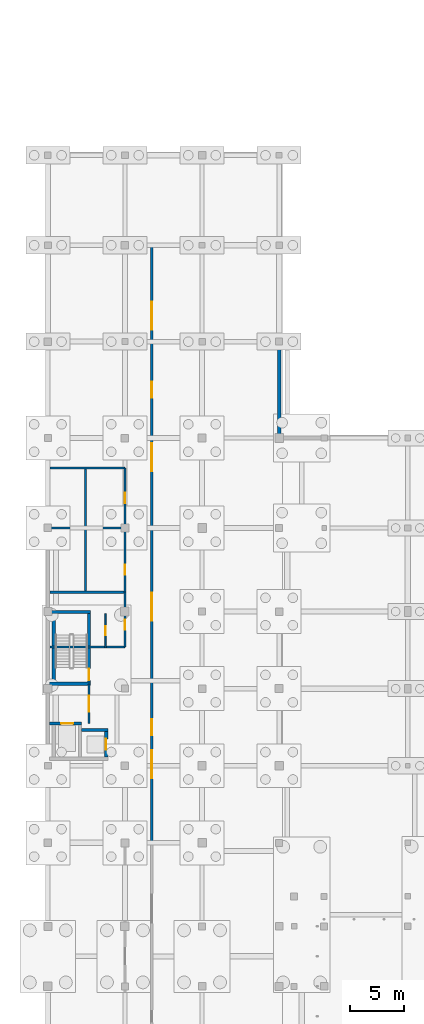
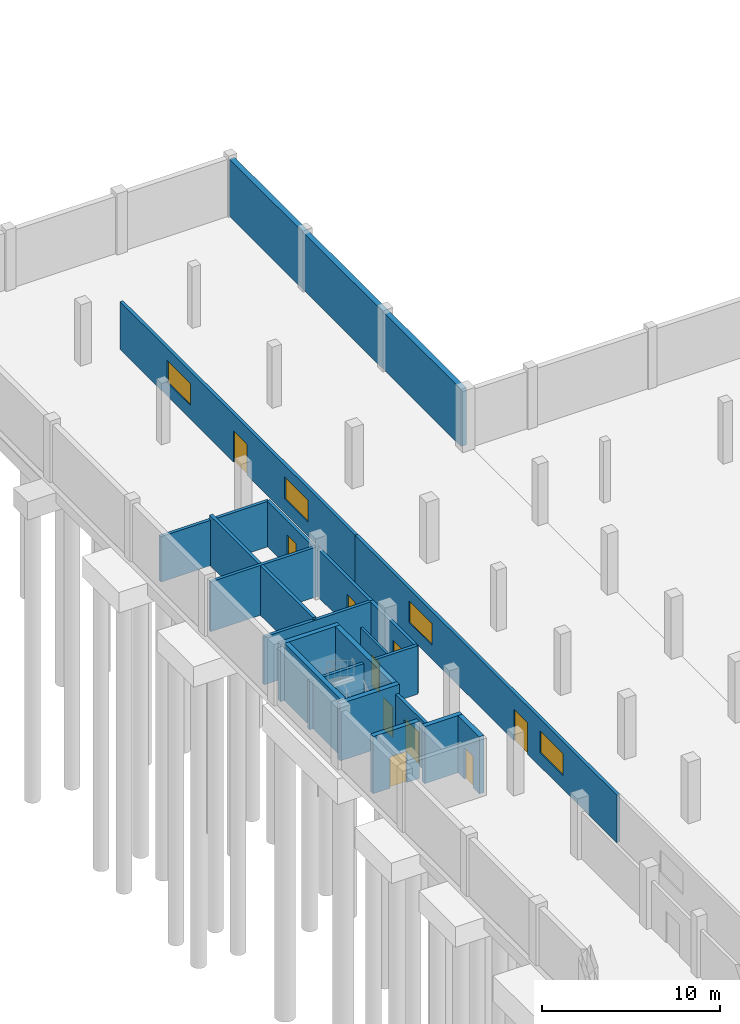
# One storey, part 26 of 34: 20 walls, 10 doors, 4 windows, 14 openings.
"""IFC4 building model written with IfcOpenShell, lengths in metres."""

from ifc_helpers import new_model, si_unit, direction, frame, frame_2d, origin, place, context, subcontext, project, spatial, rectangle, extrude, material, layer, layer_set, type_object, element, fill, save


model = new_model("IFC4")

# Units and contexts
model_context = context("Model", 3, precision=1e-05, world=origin(), true_north=direction((0.0, 1.0)))
body_context = subcontext(model_context, "Body", "Model", "MODEL_VIEW")
ifc_project = project(units=[si_unit("LENGTHUNIT", "METRE"), si_unit("AREAUNIT", "SQUARE_METRE"), si_unit("VOLUMEUNIT", "CUBIC_METRE"), si_unit("PLANEANGLEUNIT", "RADIAN"), si_unit("MASSUNIT", "GRAM", prefix="KILO")], contexts=[model_context])

# Site, building, storey
site_placement = place(None, origin())
site = spatial("IfcSite", under=ifc_project, at=site_placement, CompositionType="ELEMENT")
building_placement = place(site_placement, origin())
building = spatial("IfcBuilding", under=site, at=building_placement, Name="Vinh Khe Railworks Police Headquarters", CompositionType="ELEMENT")
storey_placement = place(building_placement, frame((0.0, 0.0, -4.199951171875)))
storey = spatial("IfcBuildingStorey", under=building, at=storey_placement, Name="B1", CompositionType="ELEMENT", Elevation=-4.199951171875)

# Walls
ifc_material_1 = material(Name="Concrete C40/50 (B40)", Category="concrete")
ifc_layer_1 = layer(ifc_material_1, 0.35009765625)
ifc_layer_set_1 = layer_set([ifc_layer_1], Name="Concrete C40/50 (B40)")
wall_type_1 = type_object("IfcWallType", Name="Basement Retaining Wall 350", PredefinedType="USERDEFINED", material=ifc_layer_set_1)
wall_1_placement = place(storey_placement, frame((22.199951171875, 104.574951171875, 0.0), z_axis=(0.0, 0.0, 1.0), x_axis=(0.0, 1.0, 0.0)))
element("IfcWall", 1, at=wall_1_placement, inside=storey, type_object=wall_type_1, Name="Basement Retaining Wall 8", ObjectType="RETAININGWALL", PredefinedType="USERDEFINED", context=body_context, shape_type="SweptSolid", body=[
    extrude(rectangle(XDim=26.050048828125, YDim=0.35009765625, at=frame_2d((13.02490234375, 0.0))), origin(), (0.0, 0.0, 1.0), 3.919921875),
])
ifc_layer_2 = layer(ifc_material_1, 0.300048828125)
ifc_layer_set_2 = layer_set([ifc_layer_2], Name="Concrete C40/50 (B40)")
wall_type_2 = type_object("IfcWallType", Name="Core Shear Wall 300", PredefinedType="SHEAR", material=ifc_layer_set_2)
for number, where, z_axis, x_axis, name in (
    (2, (0.75, 81.449951171875, 0.0), (0.0, 0.0, 1.0), (1.0, 0.0, 0.0), "Core C2 STAIR-S Shear Wall (B1)"),
    (3, (0.75, 88.14990234375, 0.0), (0.0, 0.0, 1.0), (1.0, 0.0, 0.0), "Core C2 STAIR-N Shear Wall (B1)"),
):
    element("IfcWall", number, at=place(storey_placement, frame(where, z_axis=z_axis, x_axis=x_axis)), inside=storey, type_object=wall_type_2, Name=name, PredefinedType="SHEAR", context=body_context, shape_type="SweptSolid", body=[
        extrude(rectangle(XDim=3.85009765625, YDim=0.300048828125, at=frame_2d((1.925048828125, 0.0))), origin(), (0.0, 0.0, 1.0), 3.919921875),
    ])
wall_2_placement = place(storey_placement, frame((1.14990234375, 81.60009765625, 0.0), z_axis=(0.0, 0.0, 1.0), x_axis=(0.0, 1.0, 0.0)))
element("IfcWall", 4, at=wall_2_placement, inside=storey, type_object=wall_type_2, Name="Core C2 STAIR-W Shear Wall (B1)", PredefinedType="SHEAR", context=body_context, shape_type="SweptSolid", body=[
    extrude(rectangle(XDim=6.39990234375, YDim=0.300048828125, at=frame_2d((3.199951171875, 0.0))), origin(), (0.0, 0.0, 1.0), 3.919921875),
])

# Wall, opening, door
wall_3_placement = place(storey_placement, frame((4.449951171875, 81.60009765625, 0.0), z_axis=(0.0, 0.0, 1.0), x_axis=(0.0, 1.0, 0.0)))
wall_3 = element("IfcWall", 5, at=wall_3_placement, inside=storey, type_object=wall_type_2, Name="Core C2 STAIR-E Shear Wall (B1)", PredefinedType="SHEAR", context=body_context, shape_type="SweptSolid", body=[
    extrude(rectangle(XDim=6.39990234375, YDim=0.300048828125, at=frame_2d((3.199951171875, 0.0))), origin(), (0.0, 0.0, 1.0), 3.919921875),
])
opening_1_placement = place(wall_3_placement, frame((0.169921875, 0.0, 0.0)))
opening_1 = element("IfcOpeningElement", 6, at=opening_1_placement, cuts=wall_3, Name="Opening FD-01", PredefinedType="OPENING", context=body_context, shape_type="SweptSolid", body=[
    extrude(rectangle(XDim=1.10009765625, YDim=2.14990234375, at=frame_2d((0.550048828125, 1.074951171875))), frame((0.0, 0.1650390625, 0.0), z_axis=(0.0, -1.0, 0.0), x_axis=(1.0, 0.0, 0.0)), (0.0, 0.0, 1.0), 0.329833984375),
])
ifc_material_2 = material(Name="Painted galvanised steel", Category="steel")
door_type_1 = type_object("IfcDoorType", Name="FD-1100x2150", OperationType="NOTDEFINED", PredefinedType="DOOR", material=ifc_material_2)
door_1_placement = place(opening_1_placement, frame((1.10009765625, 0.0, 0.0), z_axis=(0.0, 0.0, 1.0), x_axis=(-1.0, 0.0, 0.0)))
door_1 = element("IfcDoor", 7, at=door_1_placement, inside=storey, type_object=door_type_1, Name="Escape Stair ST-02 Fire Door B1", OperationType="SINGLE_SWING_RIGHT", OverallHeight=2.14990234375, OverallWidth=1.10009765625, PredefinedType="DOOR", context=body_context, shape_type="SweptSolid", body=[
    extrude(rectangle(XDim=1.10009765625, YDim=2.14990234375, at=frame_2d((0.550048828125, 1.074951171875))), frame((0.0, 0.02490234375, 0.0), z_axis=(0.0, -1.0, 0.0), x_axis=(1.0, 0.0, 0.0)), (0.0, 0.0, 1.0), 0.050048828125),
])
fill(opening_1, door_1)

wall_4_placement = place(storey_placement, frame((0.75, 77.75, 0.0), z_axis=(0.0, 0.0, 1.0), x_axis=(1.0, 0.0, 0.0)))
wall_4 = element("IfcWall", 8, at=wall_4_placement, inside=storey, type_object=wall_type_2, Name="Core C2 FL-N Lift Shaft Wall (B1)", PredefinedType="SHEAR", context=body_context, shape_type="SweptSolid", body=[
    extrude(rectangle(XDim=3.0, YDim=0.300048828125, at=frame_2d((1.5, 0.0))), origin(), (0.0, 0.0, 1.0), 3.919921875),
])
opening_2_placement = place(wall_4_placement, frame((1.10009765625, 0.0, 0.0)))
opening_2 = element("IfcOpeningElement", 9, at=opening_2_placement, cuts=wall_4, Name="Opening LD-01", PredefinedType="OPENING", context=body_context, shape_type="SweptSolid", body=[
    extrude(rectangle(XDim=1.10009765625, YDim=2.14990234375, at=frame_2d((0.550048828125, 1.074951171875))), frame((0.0, 0.1650390625, 0.0), z_axis=(0.0, -1.0, 0.0), x_axis=(1.0, 0.0, 0.0)), (0.0, 0.0, 1.0), 0.329833984375),
])
door_type_2 = type_object("IfcDoorType", Name="LD-FF-1100", OperationType="SLIDING_TO_LEFT", PredefinedType="DOOR", material=ifc_material_2)
door_2_placement = place(opening_2_placement, origin())
door_2 = element("IfcDoor", 10, at=door_2_placement, inside=storey, type_object=door_type_2, Name="Firefighting Lift Landing Door FL-02 B1", OperationType="SLIDING_TO_LEFT", OverallHeight=2.14990234375, OverallWidth=1.10009765625, PredefinedType="DOOR", context=body_context, shape_type="SweptSolid", body=[
    extrude(rectangle(XDim=1.10009765625, YDim=2.14990234375, at=frame_2d((0.550048828125, 1.074951171875))), frame((0.0, 0.02490234375, 0.0), z_axis=(0.0, -1.0, 0.0), x_axis=(1.0, 0.0, 0.0)), (0.0, 0.0, 1.0), 0.050048828125),
])
fill(opening_2, door_2)

# Wall
wall_5_placement = place(storey_placement, frame((3.75, 77.14990234375, 0.0), z_axis=(0.0, 0.0, 1.0), x_axis=(1.0, 0.0, 0.0)))
element("IfcWall", 11, at=wall_5_placement, inside=storey, type_object=wall_type_2, Name="Core C2 PL-N Lift Shaft Wall (B1)", PredefinedType="SHEAR", context=body_context, shape_type="SweptSolid", body=[
    extrude(rectangle(XDim=2.449951171875, YDim=0.300048828125, at=frame_2d((1.22509765625, 0.0))), origin(), (0.0, 0.0, 1.0), 3.919921875),
])

# Wall, opening, door
wall_6_placement = place(storey_placement, frame((6.050048828125, 74.60009765625, 0.0), z_axis=(0.0, 0.0, 1.0), x_axis=(0.0, 1.0, 0.0)))
wall_6 = element("IfcWall", 12, at=wall_6_placement, inside=storey, type_object=wall_type_2, Name="Core C2 PL-E Lift Shaft Wall (B1)", PredefinedType="SHEAR", context=body_context, shape_type="SweptSolid", body=[
    extrude(rectangle(XDim=2.39990234375, YDim=0.300048828125, at=frame_2d((1.199951171875, 0.0))), origin(), (0.0, 0.0, 1.0), 3.919921875),
])
opening_3_placement = place(wall_6_placement, frame((0.699951171875, 0.0, 0.0)))
opening_3 = element("IfcOpeningElement", 13, at=opening_3_placement, cuts=wall_6, Name="Opening LD-02", PredefinedType="OPENING", context=body_context, shape_type="SweptSolid", body=[
    extrude(rectangle(XDim=1.0, YDim=2.14990234375, at=frame_2d((0.5, 1.074951171875))), frame((0.0, 0.1650390625, 0.0), z_axis=(0.0, -1.0, 0.0), x_axis=(1.0, 0.0, 0.0)), (0.0, 0.0, 1.0), 0.329833984375),
])
door_type_3 = type_object("IfcDoorType", Name="LD-PAX-1000", OperationType="SLIDING_TO_RIGHT", PredefinedType="DOOR", material=ifc_material_2)
door_3_placement = place(opening_3_placement, frame((1.0, 0.0, 0.0), z_axis=(0.0, 0.0, 1.0), x_axis=(-1.0, 0.0, 0.0)))
door_3 = element("IfcDoor", 14, at=door_3_placement, inside=storey, type_object=door_type_3, Name="Passenger Lift Landing Door PL-02 B1", OperationType="SLIDING_TO_RIGHT", OverallHeight=2.14990234375, OverallWidth=1.0, PredefinedType="DOOR", context=body_context, shape_type="SweptSolid", body=[
    extrude(rectangle(XDim=1.0, YDim=2.14990234375, at=frame_2d((0.5, 1.074951171875))), frame((0.0, 0.02490234375, 0.0), z_axis=(0.0, -1.0, 0.0), x_axis=(1.0, 0.0, 0.0)), (0.0, 0.0, 1.0), 0.050048828125),
])
fill(opening_3, door_3)

ifc_material_3 = material(Name="Autoclaved aerated concrete blockwork", Category="masonry")
ifc_layer_3 = layer(ifc_material_3, 0.199951171875)
ifc_layer_set_3 = layer_set([ifc_layer_3], Name="Autoclaved aerated concrete blockwork")
wall_type_3 = type_object("IfcWallType", Name="IW-BLK-200", PredefinedType="PARTITIONING", material=ifc_layer_set_3)
wall_7_placement = place(storey_placement, frame((4.449951171875, 77.75, 0.0), z_axis=(0.0, 0.0, 1.0), x_axis=(0.0, 1.0, 0.0)))
wall_7 = element("IfcWall", 15, at=wall_7_placement, inside=storey, type_object=wall_type_3, Name="Interior Partition W-FFL-C2-E-B1", PredefinedType="PARTITIONING", context=body_context, shape_type="SweptSolid", body=[
    extrude(rectangle(XDim=3.699951171875, YDim=0.199951171875, at=frame_2d((1.85009765625, 0.0))), origin(), (0.0, 0.0, 1.0), 3.31494140625),
])
opening_4_placement = place(wall_7_placement, frame((1.10009765625, 0.0, 0.0)))
opening_4 = element("IfcOpeningElement", 16, at=opening_4_placement, cuts=wall_7, Name="Opening FD-02", PredefinedType="OPENING", context=body_context, shape_type="SweptSolid", body=[
    extrude(rectangle(XDim=1.5, YDim=2.14990234375, at=frame_2d((0.75, 1.074951171875))), frame((0.0, 0.11474609375, 0.0), z_axis=(0.0, -1.0, 0.0), x_axis=(1.0, 0.0, 0.0)), (0.0, 0.0, 1.0), 0.229736328125),
])
door_type_4 = type_object("IfcDoorType", Name="FD-1500x2150", OperationType="DOUBLE_DOOR_SINGLE_SWING", PredefinedType="DOOR", material=ifc_material_2)
door_4_placement = place(opening_4_placement, origin())
door_4 = element("IfcDoor", 17, at=door_4_placement, inside=storey, type_object=door_type_4, Name="Firefighting Lobby Fire Door", OperationType="DOUBLE_DOOR_SINGLE_SWING", OverallHeight=2.14990234375, OverallWidth=1.5, PredefinedType="DOOR", context=body_context, shape_type="SweptSolid", body=[
    extrude(rectangle(XDim=1.5, YDim=2.14990234375, at=frame_2d((0.75, 1.074951171875))), frame((0.0, 0.02490234375, 0.0), z_axis=(0.0, -1.0, 0.0), x_axis=(1.0, 0.0, 0.0)), (0.0, 0.0, 1.0), 0.050048828125),
])
fill(opening_4, door_4)

# Walls
wall_8_placement = place(storey_placement, frame((4.10009765625, 90.0, 0.0), z_axis=(0.0, 0.0, 1.0), x_axis=(0.0, 1.0, 0.0)))
element("IfcWall", 18, at=wall_8_placement, inside=storey, type_object=wall_type_3, Name="Interior Partition W-B1-WCB1-W", PredefinedType="PARTITIONING", context=body_context, shape_type="SweptSolid", body=[
    extrude(rectangle(XDim=11.60009765625, YDim=0.199951171875, at=frame_2d((5.800048828125, 0.0))), origin(), (0.0, 0.0, 1.0), 3.4150390625),
])
wall_9_placement = place(storey_placement, frame((0.780029296875, 90.0, 0.0), z_axis=(0.0, 0.0, 1.0), x_axis=(1.0, 0.0, 0.0)))
element("IfcWall", 19, at=wall_9_placement, inside=storey, type_object=wall_type_3, Name="Interior Partition W-B1-WCB1-S", PredefinedType="PARTITIONING", context=body_context, shape_type="SweptSolid", body=[
    extrude(rectangle(XDim=7.02001953125, YDim=0.199951171875, at=frame_2d((3.510009765625, 0.0))), origin(), (0.0, 0.0, 1.0), 3.264892578125),
])
wall_10_placement = place(storey_placement, frame((0.780029296875, 84.89990234375, 0.0), z_axis=(0.0, 0.0, 1.0), x_axis=(1.0, 0.0, 0.0)))
element("IfcWall", 20, at=wall_10_placement, inside=storey, type_object=wall_type_3, Name="Interior Partition W-B1-CLNB1-S", PredefinedType="PARTITIONING", context=body_context, shape_type="SweptSolid", body=[
    extrude(rectangle(XDim=7.02001953125, YDim=0.199951171875, at=frame_2d((3.510009765625, 0.0))), origin(), (0.0, 0.0, 1.0), 3.31494140625),
])
wall_11_placement = place(storey_placement, frame((0.780029296875, 96.0, 0.0), z_axis=(0.0, 0.0, 1.0), x_axis=(1.0, 0.0, 0.0)))
element("IfcWall", 21, at=wall_11_placement, inside=storey, type_object=wall_type_3, Name="Interior Partition W-B1-WCB1-M", PredefinedType="PARTITIONING", context=body_context, shape_type="SweptSolid", body=[
    extrude(rectangle(XDim=7.02001953125, YDim=0.199951171875, at=frame_2d((3.510009765625, 0.0))), origin(), (0.0, 0.0, 1.0), 3.4150390625),
])
wall_12_placement = place(storey_placement, frame((0.780029296875, 101.60009765625, 0.0), z_axis=(0.0, 0.0, 1.0), x_axis=(1.0, 0.0, 0.0)))
element("IfcWall", 22, at=wall_12_placement, inside=storey, type_object=wall_type_3, Name="Interior Partition W-B1-AWCB1-N", PredefinedType="PARTITIONING", context=body_context, shape_type="SweptSolid", body=[
    extrude(rectangle(XDim=7.02001953125, YDim=0.199951171875, at=frame_2d((3.510009765625, 0.0))), origin(), (0.0, 0.0, 1.0), 3.114990234375),
])

# Wall, openings, door, windows
wall_13_placement = place(storey_placement, frame((10.300048828125, 96.0, 0.0), z_axis=(0.0, 0.0, 1.0), x_axis=(0.0, 1.0, 0.0)))
wall_13 = element("IfcWall", 23, at=wall_13_placement, inside=storey, type_object=wall_type_3, Name="Interior Partition W-B1-ARC", PredefinedType="PARTITIONING", context=body_context, shape_type="SweptSolid", body=[
    extrude(rectangle(XDim=26.39990234375, YDim=0.199951171875, at=frame_2d((13.199951171875, 0.0))), origin(), (0.0, 0.0, 1.0), 3.264892578125),
])
opening_5_placement = place(wall_13_placement, frame((12.14990234375, 0.0, 0.0)))
opening_5 = element("IfcOpeningElement", 24, at=opening_5_placement, cuts=wall_13, Name="Opening FD-02", PredefinedType="OPENING", context=body_context, shape_type="SweptSolid", body=[
    extrude(rectangle(XDim=1.5, YDim=2.14990234375, at=frame_2d((0.75, 1.074951171875))), frame((0.0, 0.11474609375, 0.0), z_axis=(0.0, -1.0, 0.0), x_axis=(1.0, 0.0, 0.0)), (0.0, 0.0, 1.0), 0.229736328125),
])
opening_6_placement = place(wall_13_placement, frame((5.300048828125, 0.0, 0.949951171875)))
opening_6 = element("IfcOpeningElement", 25, at=opening_6_placement, cuts=wall_13, Name="Opening WN-07", PredefinedType="OPENING", context=body_context, shape_type="SweptSolid", body=[
    extrude(rectangle(XDim=2.60009765625, YDim=1.5, at=frame_2d((1.300048828125, 0.75))), frame((0.0, 0.11474609375, 0.0), z_axis=(0.0, -1.0, 0.0), x_axis=(1.0, 0.0, 0.0)), (0.0, 0.0, 1.0), 0.229736328125),
])
opening_7_placement = place(wall_13_placement, frame((18.5, 0.0, 0.949951171875)))
opening_7 = element("IfcOpeningElement", 26, at=opening_7_placement, cuts=wall_13, Name="Opening WN-07", PredefinedType="OPENING", context=body_context, shape_type="SweptSolid", body=[
    extrude(rectangle(XDim=2.60009765625, YDim=1.5, at=frame_2d((1.300048828125, 0.75))), frame((0.0, 0.11474609375, 0.0), z_axis=(0.0, -1.0, 0.0), x_axis=(1.0, 0.0, 0.0)), (0.0, 0.0, 1.0), 0.229736328125),
])
door_5_placement = place(opening_5_placement, origin())
door_5 = element("IfcDoor", 27, at=door_5_placement, inside=storey, type_object=door_type_4, Name="Case Records Bulk Archive Door", OperationType="DOUBLE_DOOR_SINGLE_SWING", OverallHeight=2.14990234375, OverallWidth=1.5, PredefinedType="DOOR", context=body_context, shape_type="SweptSolid", body=[
    extrude(rectangle(XDim=1.5, YDim=2.14990234375, at=frame_2d((0.75, 1.074951171875))), frame((0.0, 0.02490234375, 0.0), z_axis=(0.0, -1.0, 0.0), x_axis=(1.0, 0.0, 0.0)), (0.0, 0.0, 1.0), 0.050048828125),
])
fill(opening_5, door_5)
ifc_material_4 = material(Name="Double-glazed solar-control glass in dark steel frame", Category="steel")
window_type = type_object("IfcWindowType", Name="WIN-WN-07", PartitioningType="DOUBLE_PANEL_HORIZONTAL", PredefinedType="WINDOW", material=ifc_material_4)
window_1_placement = place(opening_6_placement, origin())
window_1 = element("IfcWindow", 28, at=window_1_placement, inside=storey, type_object=window_type, Name="Interior Acoustic Vision Window WN-07", OverallHeight=1.5, OverallWidth=2.60009765625, PartitioningType="SINGLE_PANEL", PredefinedType="WINDOW", context=body_context, shape_type="SweptSolid", body=[
    extrude(rectangle(XDim=2.60009765625, YDim=1.5, at=frame_2d((1.300048828125, 0.75))), frame((0.0, 0.030029296875, 0.0), z_axis=(0.0, -1.0, 0.0), x_axis=(1.0, 0.0, 0.0)), (0.0, 0.0, 1.0), 0.06005859375),
])
fill(opening_6, window_1)
window_2_placement = place(opening_7_placement, origin())
window_2 = element("IfcWindow", 29, at=window_2_placement, inside=storey, type_object=window_type, Name="Interior Acoustic Vision Window WN-07", OverallHeight=1.5, OverallWidth=2.60009765625, PartitioningType="SINGLE_PANEL", PredefinedType="WINDOW", context=body_context, shape_type="SweptSolid", body=[
    extrude(rectangle(XDim=2.60009765625, YDim=1.5, at=frame_2d((1.300048828125, 0.75))), frame((0.0, 0.030029296875, 0.0), z_axis=(0.0, -1.0, 0.0), x_axis=(1.0, 0.0, 0.0)), (0.0, 0.0, 1.0), 0.06005859375),
])
fill(opening_7, window_2)

wall_14_placement = place(storey_placement, frame((10.300048828125, 66.60009765625, 0.0), z_axis=(0.0, 0.0, 1.0), x_axis=(0.0, 1.0, 0.0)))
wall_14 = element("IfcWall", 30, at=wall_14_placement, inside=storey, type_object=wall_type_3, Name="Interior Partition W-B1-FLT", PredefinedType="PARTITIONING", context=body_context, shape_type="SweptSolid", body=[
    extrude(rectangle(XDim=29.39990234375, YDim=0.199951171875, at=frame_2d((14.699951171875, 0.0))), origin(), (0.0, 0.0, 1.0), 3.264892578125),
])
opening_8_placement = place(wall_14_placement, frame((10.050048828125, 0.0, 0.0)))
opening_8 = element("IfcOpeningElement", 31, at=opening_8_placement, cuts=wall_14, Name="Opening FD-02", PredefinedType="OPENING", context=body_context, shape_type="SweptSolid", body=[
    extrude(rectangle(XDim=1.5, YDim=2.14990234375, at=frame_2d((0.75, 1.074951171875))), frame((0.0, 0.11474609375, 0.0), z_axis=(0.0, -1.0, 0.0), x_axis=(1.0, 0.0, 0.0)), (0.0, 0.0, 1.0), 0.229736328125),
])
opening_9_placement = place(wall_14_placement, frame((6.050048828125, 0.0, 0.949951171875)))
opening_9 = element("IfcOpeningElement", 32, at=opening_9_placement, cuts=wall_14, Name="Opening WN-07", PredefinedType="OPENING", context=body_context, shape_type="SweptSolid", body=[
    extrude(rectangle(XDim=2.60009765625, YDim=1.5, at=frame_2d((1.300048828125, 0.75))), frame((0.0, 0.11474609375, 0.0), z_axis=(0.0, -1.0, 0.0), x_axis=(1.0, 0.0, 0.0)), (0.0, 0.0, 1.0), 0.229736328125),
])
opening_10_placement = place(wall_14_placement, frame((20.75, 0.0, 0.949951171875)))
opening_10 = element("IfcOpeningElement", 33, at=opening_10_placement, cuts=wall_14, Name="Opening WN-07", PredefinedType="OPENING", context=body_context, shape_type="SweptSolid", body=[
    extrude(rectangle(XDim=2.60009765625, YDim=1.5, at=frame_2d((1.300048828125, 0.75))), frame((0.0, 0.11474609375, 0.0), z_axis=(0.0, -1.0, 0.0), x_axis=(1.0, 0.0, 0.0)), (0.0, 0.0, 1.0), 0.229736328125),
])
door_6_placement = place(opening_8_placement, origin())
door_6 = element("IfcDoor", 34, at=door_6_placement, inside=storey, type_object=door_type_4, Name="Police Fleet Diagnostic Workshop Door", OperationType="DOUBLE_DOOR_SINGLE_SWING", OverallHeight=2.14990234375, OverallWidth=1.5, PredefinedType="DOOR", context=body_context, shape_type="SweptSolid", body=[
    extrude(rectangle(XDim=1.5, YDim=2.14990234375, at=frame_2d((0.75, 1.074951171875))), frame((0.0, 0.02490234375, 0.0), z_axis=(0.0, -1.0, 0.0), x_axis=(1.0, 0.0, 0.0)), (0.0, 0.0, 1.0), 0.050048828125),
])
fill(opening_8, door_6)
window_3_placement = place(opening_9_placement, origin())
window_3 = element("IfcWindow", 35, at=window_3_placement, inside=storey, type_object=window_type, Name="Interior Acoustic Vision Window WN-07", OverallHeight=1.5, OverallWidth=2.60009765625, PartitioningType="SINGLE_PANEL", PredefinedType="WINDOW", context=body_context, shape_type="SweptSolid", body=[
    extrude(rectangle(XDim=2.60009765625, YDim=1.5, at=frame_2d((1.300048828125, 0.75))), frame((0.0, 0.030029296875, 0.0), z_axis=(0.0, -1.0, 0.0), x_axis=(1.0, 0.0, 0.0)), (0.0, 0.0, 1.0), 0.06005859375),
])
fill(opening_9, window_3)
window_4_placement = place(opening_10_placement, origin())
window_4 = element("IfcWindow", 36, at=window_4_placement, inside=storey, type_object=window_type, Name="Interior Acoustic Vision Window WN-07", OverallHeight=1.5, OverallWidth=2.60009765625, PartitioningType="SINGLE_PANEL", PredefinedType="WINDOW", context=body_context, shape_type="SweptSolid", body=[
    extrude(rectangle(XDim=2.60009765625, YDim=1.5, at=frame_2d((1.300048828125, 0.75))), frame((0.0, 0.030029296875, 0.0), z_axis=(0.0, -1.0, 0.0), x_axis=(1.0, 0.0, 0.0)), (0.0, 0.0, 1.0), 0.06005859375),
])
fill(opening_10, window_4)

# Wall, opening, door
wall_15_placement = place(storey_placement, frame((7.800048828125, 90.0, 0.0), z_axis=(0.0, 0.0, 1.0), x_axis=(0.0, 1.0, 0.0)))
wall_15 = element("IfcWall", 37, at=wall_15_placement, inside=storey, type_object=wall_type_3, Name="Interior Partition W-B1-WCB1", PredefinedType="PARTITIONING", context=body_context, shape_type="SweptSolid", body=[
    extrude(rectangle(XDim=6.0, YDim=0.199951171875, at=frame_2d((3.0, 0.0))), origin(), (0.0, 0.0, 1.0), 3.264892578125),
])
opening_11_placement = place(wall_15_placement, frame((1.64990234375, 0.0, 0.0)))
opening_11 = element("IfcOpeningElement", 38, at=opening_11_placement, cuts=wall_15, Name="Opening D-04", PredefinedType="OPENING", context=body_context, shape_type="SweptSolid", body=[
    extrude(rectangle(XDim=0.89990234375, YDim=2.14990234375, at=frame_2d((0.449951171875, 1.074951171875))), frame((0.0, 0.11474609375, 0.0), z_axis=(0.0, -1.0, 0.0), x_axis=(1.0, 0.0, 0.0)), (0.0, 0.0, 1.0), 0.229736328125),
])
ifc_material_5 = material(Name="Seasoned hardwood timber", Category="wood")
door_type_5 = type_object("IfcDoorType", Name="ID-900x2150", OperationType="NOTDEFINED", PredefinedType="DOOR", material=ifc_material_5)
door_7_placement = place(opening_11_placement, origin())
door_7 = element("IfcDoor", 39, at=door_7_placement, inside=storey, type_object=door_type_5, Name="Staff WC B1 Door", OperationType="SINGLE_SWING_LEFT", OverallHeight=2.14990234375, OverallWidth=0.89990234375, PredefinedType="DOOR", context=body_context, shape_type="SweptSolid", body=[
    extrude(rectangle(XDim=0.89990234375, YDim=2.14990234375, at=frame_2d((0.449951171875, 1.074951171875))), frame((0.0, 0.02490234375, 0.0), z_axis=(0.0, -1.0, 0.0), x_axis=(1.0, 0.0, 0.0)), (0.0, 0.0, 1.0), 0.050048828125),
])
fill(opening_11, door_7)

wall_16_placement = place(storey_placement, frame((7.800048828125, 96.0, 0.0), z_axis=(0.0, 0.0, 1.0), x_axis=(0.0, 1.0, 0.0)))
wall_16 = element("IfcWall", 40, at=wall_16_placement, inside=storey, type_object=wall_type_3, Name="Interior Partition W-B1-AWCB1", PredefinedType="PARTITIONING", context=body_context, shape_type="SweptSolid", body=[
    extrude(rectangle(XDim=5.60009765625, YDim=0.199951171875, at=frame_2d((2.800048828125, 0.0))), origin(), (0.0, 0.0, 1.0), 3.114990234375),
])
opening_12_placement = place(wall_16_placement, frame((2.300048828125, 0.0, 0.0)))
opening_12 = element("IfcOpeningElement", 41, at=opening_12_placement, cuts=wall_16, Name="Opening D-05", PredefinedType="OPENING", context=body_context, shape_type="SweptSolid", body=[
    extrude(rectangle(XDim=1.0, YDim=2.14990234375, at=frame_2d((0.5, 1.074951171875))), frame((0.0, 0.11474609375, 0.0), z_axis=(0.0, -1.0, 0.0), x_axis=(1.0, 0.0, 0.0)), (0.0, 0.0, 1.0), 0.229736328125),
])
door_type_6 = type_object("IfcDoorType", Name="ID-1000x2150", OperationType="NOTDEFINED", PredefinedType="DOOR", material=ifc_material_5)
door_8_placement = place(opening_12_placement, origin())
door_8 = element("IfcDoor", 42, at=door_8_placement, inside=storey, type_object=door_type_6, Name="Accessible WC B1 Door", OperationType="SINGLE_SWING_RIGHT", OverallHeight=2.14990234375, OverallWidth=1.0, PredefinedType="DOOR", context=body_context, shape_type="SweptSolid", body=[
    extrude(rectangle(XDim=1.0, YDim=2.14990234375, at=frame_2d((0.5, 1.074951171875))), frame((0.0, 0.02490234375, 0.0), z_axis=(0.0, -1.0, 0.0), x_axis=(1.0, 0.0, 0.0)), (0.0, 0.0, 1.0), 0.050048828125),
])
fill(opening_12, door_8)

wall_17_placement = place(storey_placement, frame((7.800048828125, 84.89990234375, 0.0), z_axis=(0.0, 0.0, 1.0), x_axis=(0.0, 1.0, 0.0)))
wall_17 = element("IfcWall", 43, at=wall_17_placement, inside=storey, type_object=wall_type_3, Name="Interior Partition W-B1-CLNB1", PredefinedType="PARTITIONING", context=body_context, shape_type="SweptSolid", body=[
    extrude(rectangle(XDim=5.10009765625, YDim=0.199951171875, at=frame_2d((2.550048828125, 0.0))), origin(), (0.0, 0.0, 1.0), 3.264892578125),
])
opening_13_placement = place(wall_17_placement, frame((1.574951171875, 0.0, 0.0)))
opening_13 = element("IfcOpeningElement", 44, at=opening_13_placement, cuts=wall_17, Name="Opening D-01", PredefinedType="OPENING", context=body_context, shape_type="SweptSolid", body=[
    extrude(rectangle(XDim=0.949951171875, YDim=2.14990234375, at=frame_2d((0.47509765625, 1.074951171875))), frame((0.0, 0.11474609375, 0.0), z_axis=(0.0, -1.0, 0.0), x_axis=(1.0, 0.0, 0.0)), (0.0, 0.0, 1.0), 0.229736328125),
])
door_type_7 = type_object("IfcDoorType", Name="ID-950x2150", OperationType="NOTDEFINED", PredefinedType="DOOR", material=ifc_material_5)
door_9_placement = place(opening_13_placement, origin())
door_9 = element("IfcDoor", 45, at=door_9_placement, inside=storey, type_object=door_type_7, Name="Basement Equipment Store Door", OperationType="SINGLE_SWING_LEFT", OverallHeight=2.14990234375, OverallWidth=0.949951171875, PredefinedType="DOOR", context=body_context, shape_type="SweptSolid", body=[
    extrude(rectangle(XDim=0.949951171875, YDim=2.14990234375, at=frame_2d((0.47509765625, 1.074951171875))), frame((0.0, 0.02490234375, 0.0), z_axis=(0.0, -1.0, 0.0), x_axis=(1.0, 0.0, 0.0)), (0.0, 0.0, 1.0), 0.050048828125),
])
fill(opening_13, door_9)

ifc_material_6 = material(Name="Gypsum plasterboard on acoustic steel stud", Category="steel")
ifc_layer_4 = layer(ifc_material_6, 0.14990234375)
ifc_layer_set_4 = layer_set([ifc_layer_4], Name="Gypsum plasterboard on acoustic steel stud")
wall_type_4 = type_object("IfcWallType", Name="IW-PART-150", PredefinedType="PARTITIONING", material=ifc_layer_set_4)
wall_18_placement = place(storey_placement, frame((6.0, 84.800048828125, 0.0), z_axis=(0.0, 0.0, 1.0), x_axis=(0.0, 1.0, 0.0)))
wall_18 = element("IfcWall", 46, at=wall_18_placement, inside=storey, type_object=wall_type_4, Name="Interior Partition W-RSR-C2-E-B1", PredefinedType="PARTITIONING", context=body_context, shape_type="SweptSolid", body=[
    extrude(rectangle(XDim=3.199951171875, YDim=0.14990234375, at=frame_2d((1.60009765625, 0.0))), origin(), (0.0, 0.0, 1.0), 3.264892578125),
])
opening_14_placement = place(wall_18_placement, frame((1.175048828125, 0.0, 0.0)))
opening_14 = element("IfcOpeningElement", 47, at=opening_14_placement, cuts=wall_18, Name="Opening FD-04", PredefinedType="OPENING", context=body_context, shape_type="SweptSolid", body=[
    extrude(rectangle(XDim=0.85009765625, YDim=2.10009765625, at=frame_2d((0.425048828125, 1.050048828125))), frame((0.0, 0.08984375, 0.0), z_axis=(0.0, -1.0, 0.0), x_axis=(1.0, 0.0, 0.0)), (0.0, 0.0, 1.0), 0.1796875),
])
door_type_8 = type_object("IfcDoorType", Name="FD-850x2100", OperationType="NOTDEFINED", PredefinedType="DOOR", material=ifc_material_2)
door_10_placement = place(opening_14_placement, origin())
door_10 = element("IfcDoor", 48, at=door_10_placement, inside=storey, type_object=door_type_8, Name="Wet Riser Access Door", OperationType="SINGLE_SWING_LEFT", OverallHeight=2.10009765625, OverallWidth=0.85009765625, PredefinedType="DOOR", context=body_context, shape_type="SweptSolid", body=[
    extrude(rectangle(XDim=0.85009765625, YDim=2.10009765625, at=frame_2d((0.425048828125, 1.050048828125))), frame((0.0, 0.02490234375, 0.0), z_axis=(0.0, -1.0, 0.0), x_axis=(1.0, 0.0, 0.0)), (0.0, 0.0, 1.0), 0.050048828125),
])
fill(opening_14, door_10)

save(model, "model.ifc")
